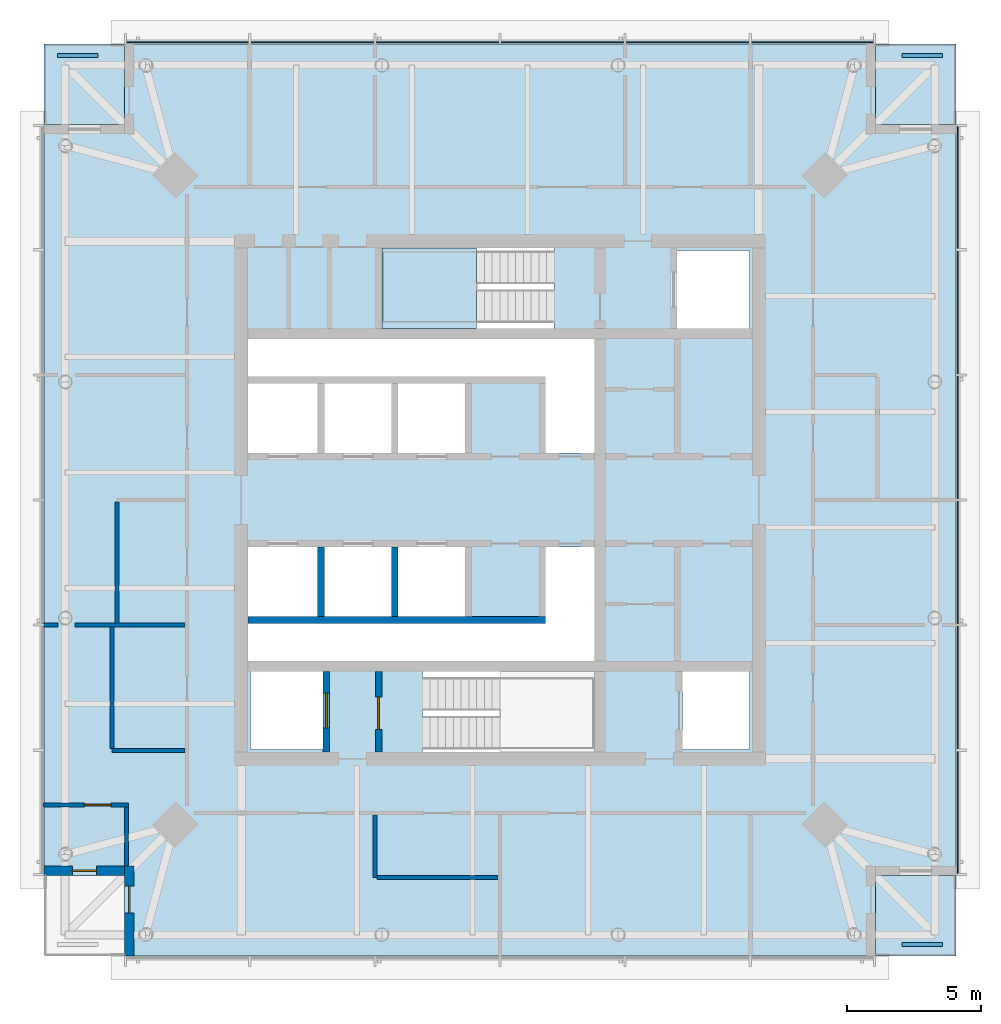
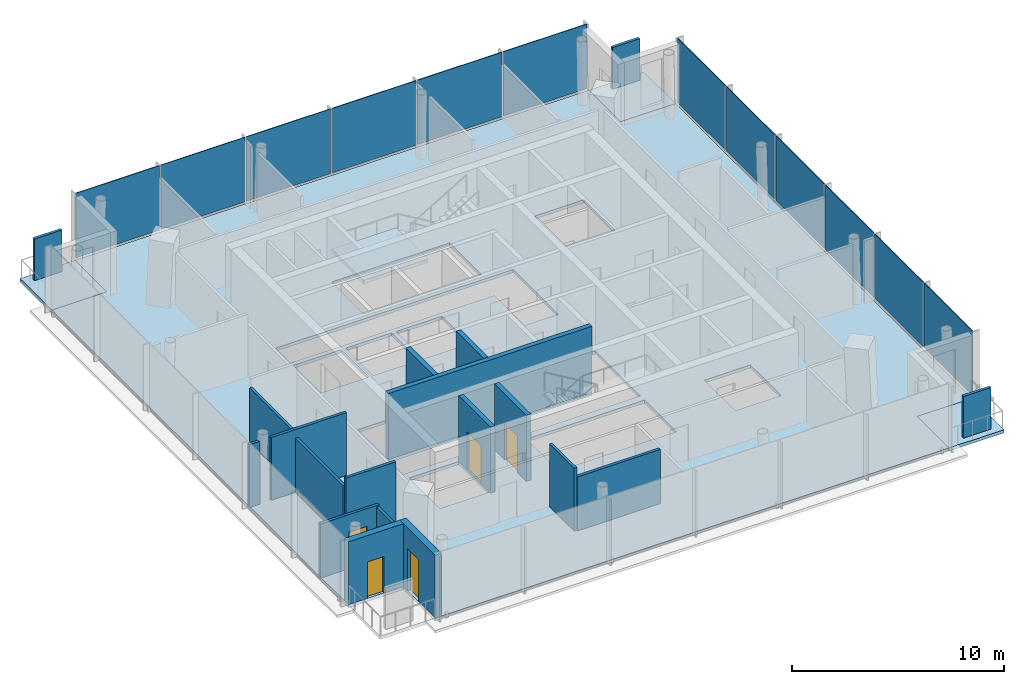
# One storey, part 3 of 9: 16 walls, 15 plates, 5 doors, 5 slabs, 5 openings, 3 elements without a shape of their own.
"""IFC4 building model written with IfcOpenShell, lengths in metres."""

from ifc_helpers import new_model, si_unit, direction, frame, frame_2d, origin, origin_2d, place, context, subcontext, project, spatial, polyline, rectangle, outline, extrude, material, layer, layer_set, type_object, element, fill, aggregate, save


model = new_model("IFC4")

# Units and contexts
model_context = context("Model", 3, precision=1e-05, world=origin(), true_north=direction((0.0, 1.0)))
body_context = subcontext(model_context, "Body", "Model", "MODEL_VIEW")
ifc_project = project(units=[si_unit("LENGTHUNIT", "METRE"), si_unit("AREAUNIT", "SQUARE_METRE"), si_unit("VOLUMEUNIT", "CUBIC_METRE"), si_unit("PLANEANGLEUNIT", "RADIAN"), si_unit("MASSUNIT", "GRAM", prefix="KILO")], contexts=[model_context])

# Site, building, storey
site_placement = place(None, origin())
site = spatial("IfcSite", under=ifc_project, at=site_placement, CompositionType="ELEMENT")
building_placement = place(site_placement, origin())
building = spatial("IfcBuilding", under=site, at=building_placement, Name="Ostroluk Exchange", CompositionType="ELEMENT")
storey_placement = place(building_placement, frame((0.0, 0.0, 264.199951171875)))
storey = spatial("IfcBuildingStorey", under=building, at=storey_placement, Name="L68", CompositionType="ELEMENT", Elevation=264.199951171875)

# Slabs
ifc_material_1 = material(Name="Concrete C35/45", Category="concrete")
ifc_layer_1 = layer(ifc_material_1, 0.179931640625)
ifc_layer_set_1 = layer_set([ifc_layer_1], Name="Balcony slab 180")
slab_type_1 = type_object("IfcSlabType", Name="Balcony slab 180", PredefinedType="USERDEFINED", material=ifc_layer_set_1)
slab_1_placement = place(storey_placement, frame((0.0, 0.0, -0.179931640625)))
element("IfcSlab", 1, at=slab_1_placement, inside=storey, type_object=slab_type_1, Name="Office tower SE corner balcony L68", ObjectType="BALCONY", PredefinedType="USERDEFINED", context=body_context, shape_type="SweptSolid", body=[
    extrude(outline(polyline([(59.0, 29.0), (62.0, 29.0), (62.0, 32.0), (59.0, 32.0), (59.0, 29.0)])), origin(), (0.0, 0.0, 1.0), 0.179931640625),
])
slab_2_placement = place(storey_placement, frame((0.0, 0.0, -0.179931640625)))
element("IfcSlab", 2, at=slab_2_placement, inside=storey, type_object=slab_type_1, Name="Office tower NE corner balcony L68", ObjectType="BALCONY", PredefinedType="USERDEFINED", context=body_context, shape_type="SweptSolid", body=[
    extrude(outline(polyline([(59.0, 60.0), (62.0, 60.0), (62.0, 63.0), (59.0, 63.0), (59.0, 60.0)])), origin(), (0.0, 0.0, 1.0), 0.179931640625),
])
slab_3_placement = place(storey_placement, frame((0.0, 0.0, -0.179931640625)))
element("IfcSlab", 3, at=slab_3_placement, inside=storey, type_object=slab_type_1, Name="Office tower NW corner balcony L68", ObjectType="BALCONY", PredefinedType="USERDEFINED", context=body_context, shape_type="SweptSolid", body=[
    extrude(outline(polyline([(28.0, 60.0), (31.0, 60.0), (31.0, 63.0), (28.0, 63.0), (28.0, 60.0)])), origin(), (0.0, 0.0, 1.0), 0.179931640625),
])

# Plates
ifc_material_2 = material(Name="Steel S355 trellis with planting", Category="steel")
ifc_layer_2 = layer(ifc_material_2, 0.14990234375)
ifc_layer_set_2 = layer_set([ifc_layer_2], Name="Planted screen 150")
plate_type_1 = type_object("IfcPlateType", Name="Planted screen 150", PredefinedType="USERDEFINED", material=ifc_layer_set_2)
for number, where, z_axis, x_axis, name in (
    (4, (60.75, 29.425048828125, 0.0), (0.0, 0.0, 1.0), (1.0, 0.0, 0.0), "Office tower SE planted screen L68"),
    (5, (60.75, 62.574951171875, 0.0), (0.0, 0.0, 1.0), (1.0, 0.0, 0.0), "Office tower NE planted screen L68"),
    (6, (29.25, 62.574951171875, 0.0), (0.0, 0.0, 1.0), (1.0, 0.0, 0.0), "Office tower NW planted screen L68"),
):
    element("IfcPlate", number, at=place(storey_placement, frame(where, z_axis=z_axis, x_axis=x_axis)), inside=storey, type_object=plate_type_1, Name=name, ObjectType="PLANTED SCREEN", PredefinedType="USERDEFINED", context=body_context, shape_type="SweptSolid", body=[
        extrude(rectangle(XDim=1.5, YDim=0.14990234375, at=origin_2d()), origin(), (0.0, 0.0, 1.0), 2.39990234375),
    ])

# Stair, slab
ifc_material_3 = material(Name="Concrete C30/37", Category="concrete")
stair_type = type_object("IfcStairType", Name="Exit stair half turn 3800", PredefinedType="HALF_TURN_STAIR", material=ifc_material_3)
stair_placement = place(storey_placement, origin())
stair = element("IfcStair", 7, at=stair_placement, inside=storey, type_object=stair_type, Name="Stair T1-S2 L68", PredefinedType="HALF_TURN_STAIR")
ifc_material_4 = material(Name="Concrete C30/37", Category="concrete")
ifc_layer_3 = layer(ifc_material_4, 0.199951171875)
ifc_layer_set_3 = layer_set([ifc_layer_3], Name="Stair landing 200")
slab_type_2 = type_object("IfcSlabType", Name="Stair landing 200", PredefinedType="LANDING", material=ifc_layer_set_3)
slab_4_placement = place(storey_placement, frame((0.0, 0.0, 1.699951171875)))
slab_4 = element("IfcSlab", 8, at=slab_4_placement, type_object=slab_type_2, Name="T1-S2 landing 1", PredefinedType="LANDING", context=body_context, shape_type="SweptSolid", body=[
    extrude(outline(polyline([(44.1298828125, 52.39990234375), (44.1298828125, 55.39990234375), (40.60009765625, 55.39990234375), (40.60009765625, 52.39990234375), (44.1298828125, 52.39990234375)])), origin(), (0.0, 0.0, 1.0), 0.2001953125),
])
aggregate(stair, [slab_4])

# Slab
ifc_material_5 = material(Name="Concrete C35/45", Category="concrete")
ifc_layer_4 = layer(ifc_material_5, 0.179931640625)
ifc_layer_set_4 = layer_set([ifc_layer_4], Name="Tower floor slab 180 composite")
slab_type_3 = type_object("IfcSlabType", Name="Tower floor slab 180 composite", PredefinedType="FLOOR", material=ifc_layer_set_4)
slab_5_placement = place(storey_placement, frame((0.0, 0.0, -0.179931640625)))
element("IfcSlab", 9, at=slab_5_placement, inside=storey, type_object=slab_type_3, Name="Office tower floor slab L68", PredefinedType="FLOOR", context=body_context, shape_type="SweptSolid", body=[
    extrude(outline(polyline([(31.0, 29.0), (59.0, 29.0), (59.0, 32.0), (62.0, 32.0), (62.0, 60.0), (59.0, 60.0), (59.0, 63.0), (31.0, 63.0), (31.0, 60.0), (28.0, 60.0), (28.0, 32.0), (31.0, 32.0), (31.0, 29.0)]), holes=[polyline([(35.699951171875, 36.699951171875), (38.39990234375, 36.699951171875), (38.39990234375, 39.60009765625), (35.699951171875, 39.60009765625), (35.699951171875, 36.699951171875)]), polyline([(42.110107421875, 36.60009765625), (48.530029296875, 36.60009765625), (48.530029296875, 39.60009765625), (42.110107421875, 39.60009765625), (42.110107421875, 36.60009765625)]), polyline([(51.800048828125, 36.699951171875), (54.300048828125, 36.699951171875), (54.300048828125, 39.60009765625), (51.800048828125, 39.60009765625), (51.800048828125, 36.699951171875)]), polyline([(40.60009765625, 52.39990234375), (47.02001953125, 52.39990234375), (47.02001953125, 55.39990234375), (40.60009765625, 55.39990234375), (40.60009765625, 52.39990234375)]), polyline([(51.60009765625, 52.39990234375), (54.300048828125, 52.39990234375), (54.300048828125, 55.300048828125), (51.60009765625, 55.300048828125), (51.60009765625, 52.39990234375)]), polyline([(35.60009765625, 47.75), (38.199951171875, 47.75), (38.199951171875, 50.35009765625), (35.60009765625, 50.35009765625), (35.60009765625, 47.75)]), polyline([(38.449951171875, 47.75), (40.949951171875, 47.75), (40.949951171875, 50.35009765625), (38.449951171875, 50.35009765625), (38.449951171875, 47.75)]), polyline([(41.199951171875, 47.75), (43.699951171875, 47.75), (43.699951171875, 50.35009765625), (41.199951171875, 50.35009765625), (41.199951171875, 47.75)]), polyline([(35.60009765625, 41.64990234375), (38.199951171875, 41.64990234375), (38.199951171875, 44.25), (35.60009765625, 44.25), (35.60009765625, 41.64990234375)]), polyline([(38.449951171875, 41.64990234375), (40.949951171875, 41.64990234375), (40.949951171875, 44.25), (38.449951171875, 44.25), (38.449951171875, 41.64990234375)]), polyline([(41.199951171875, 41.64990234375), (43.699951171875, 41.64990234375), (43.699951171875, 44.25), (41.199951171875, 44.25), (41.199951171875, 41.64990234375)]), polyline([(48.530029296875, 52.0), (48.530029296875, 47.75), (46.699951171875, 47.75), (46.699951171875, 50.60009765625), (35.60009765625, 50.60009765625), (35.60009765625, 52.0), (48.530029296875, 52.0)]), polyline([(35.60009765625, 40.0), (35.60009765625, 41.39990234375), (46.699951171875, 41.39990234375), (46.699951171875, 44.25), (48.530029296875, 44.25), (48.530029296875, 40.0), (35.60009765625, 40.0)])]), origin(), (0.0, 0.0, 1.0), 0.179931640625),
])

# Curtain wall, plates
ifc_material_6 = material(Name="Laminated clear glass", Category="glass")
curtain_wall_type = type_object("IfcCurtainWallType", Name="Office tower facade", PredefinedType="USERDEFINED", material=ifc_material_6)
curtain_wall_1_placement = place(storey_placement, origin())
curtain_wall_1 = element("IfcCurtainWall", 10, at=curtain_wall_1_placement, inside=storey, type_object=curtain_wall_type, Name="Office tower east facade L68", ObjectType="UNITISED CURTAIN WALL", PredefinedType="USERDEFINED")
ifc_material_7 = material(Name="Laminated clear glass", Category="glass")
ifc_layer_5 = layer(ifc_material_7, 0.0439453125)
ifc_layer_set_5 = layer_set([ifc_layer_5], Name="Triple laminated clear glazing 44")
plate_type_2 = type_object("IfcPlateType", Name="Triple laminated clear glazing 44", PredefinedType="CURTAIN_PANEL", material=ifc_layer_set_5)
plate_1_placement = place(storey_placement, frame((62.074951171875, 34.353271484375, 0.080078125), z_axis=(0.0, 0.0, 1.0), x_axis=(0.0, 1.0, 0.0)))
plate_1 = element("IfcPlate", 11, at=plate_1_placement, type_object=plate_type_2, Name="CW-O1 panel 1.1", PredefinedType="CURTAIN_PANEL", context=body_context, shape_type="SweptSolid", body=[
    extrude(rectangle(XDim=4.546630859375, YDim=0.0439453125, at=origin_2d()), origin(), (0.0, 0.0, 1.0), 3.719970703125),
])
plate_2_placement = place(storey_placement, frame((62.074951171875, 39.0, 0.080078125), z_axis=(0.0, 0.0, 1.0), x_axis=(0.0, 1.0, 0.0)))
plate_2 = element("IfcPlate", 12, at=plate_2_placement, type_object=plate_type_2, Name="CW-O1 panel 2.1", PredefinedType="CURTAIN_PANEL", context=body_context, shape_type="SweptSolid", body=[
    extrude(rectangle(XDim=4.586669921875, YDim=0.0439453125, at=origin_2d()), origin(), (0.0, 0.0, 1.0), 3.719970703125),
])
plate_3_placement = place(storey_placement, frame((62.074951171875, 43.666748046875, 0.080078125), z_axis=(0.0, 0.0, 1.0), x_axis=(0.0, 1.0, 0.0)))
plate_3 = element("IfcPlate", 13, at=plate_3_placement, type_object=plate_type_2, Name="CW-O1 panel 3.1", PredefinedType="CURTAIN_PANEL", context=body_context, shape_type="SweptSolid", body=[
    extrude(rectangle(XDim=4.586669921875, YDim=0.0439453125, at=origin_2d()), origin(), (0.0, 0.0, 1.0), 3.719970703125),
])
plate_4_placement = place(storey_placement, frame((62.074951171875, 48.333251953125, 0.080078125), z_axis=(0.0, 0.0, 1.0), x_axis=(0.0, 1.0, 0.0)))
plate_4 = element("IfcPlate", 14, at=plate_4_placement, type_object=plate_type_2, Name="CW-O1 panel 4.1", PredefinedType="CURTAIN_PANEL", context=body_context, shape_type="SweptSolid", body=[
    extrude(rectangle(XDim=4.586669921875, YDim=0.0439453125, at=origin_2d()), origin(), (0.0, 0.0, 1.0), 3.719970703125),
])
plate_5_placement = place(storey_placement, frame((62.074951171875, 53.0, 0.080078125), z_axis=(0.0, 0.0, 1.0), x_axis=(0.0, 1.0, 0.0)))
plate_5 = element("IfcPlate", 15, at=plate_5_placement, type_object=plate_type_2, Name="CW-O1 panel 5.1", PredefinedType="CURTAIN_PANEL", context=body_context, shape_type="SweptSolid", body=[
    extrude(rectangle(XDim=4.586669921875, YDim=0.0439453125, at=origin_2d()), origin(), (0.0, 0.0, 1.0), 3.719970703125),
])
plate_6_placement = place(storey_placement, frame((62.074951171875, 57.646728515625, 0.080078125), z_axis=(0.0, 0.0, 1.0), x_axis=(0.0, 1.0, 0.0)))
plate_6 = element("IfcPlate", 16, at=plate_6_placement, type_object=plate_type_2, Name="CW-O1 panel 6.1", PredefinedType="CURTAIN_PANEL", context=body_context, shape_type="SweptSolid", body=[
    extrude(rectangle(XDim=4.546630859375, YDim=0.0439453125, at=origin_2d()), origin(), (0.0, 0.0, 1.0), 3.719970703125),
])
aggregate(curtain_wall_1, [plate_1, plate_2, plate_3, plate_4, plate_5, plate_6])

curtain_wall_2_placement = place(storey_placement, origin())
curtain_wall_2 = element("IfcCurtainWall", 17, at=curtain_wall_2_placement, inside=storey, type_object=curtain_wall_type, Name="Office tower north facade L68", ObjectType="UNITISED CURTAIN WALL", PredefinedType="USERDEFINED")
plate_7_placement = place(storey_placement, frame((56.646728515625, 63.074951171875, 0.080078125), z_axis=(0.0, 0.0, 1.0), x_axis=(-1.0, 0.0, 0.0)))
plate_7 = element("IfcPlate", 18, at=plate_7_placement, type_object=plate_type_2, Name="CW-O1 panel 1.1", PredefinedType="CURTAIN_PANEL", context=body_context, shape_type="SweptSolid", body=[
    extrude(rectangle(XDim=4.546630859375, YDim=0.0439453125, at=origin_2d()), origin(), (0.0, 0.0, 1.0), 3.719970703125),
])
plate_8_placement = place(storey_placement, frame((52.0, 63.074951171875, 0.080078125), z_axis=(0.0, 0.0, 1.0), x_axis=(-1.0, 0.0, 0.0)))
plate_8 = element("IfcPlate", 19, at=plate_8_placement, type_object=plate_type_2, Name="CW-O1 panel 2.1", PredefinedType="CURTAIN_PANEL", context=body_context, shape_type="SweptSolid", body=[
    extrude(rectangle(XDim=4.586669921875, YDim=0.0439453125, at=origin_2d()), origin(), (0.0, 0.0, 1.0), 3.719970703125),
])
plate_9_placement = place(storey_placement, frame((47.333251953125, 63.074951171875, 0.080078125), z_axis=(0.0, 0.0, 1.0), x_axis=(-1.0, 0.0, 0.0)))
plate_9 = element("IfcPlate", 20, at=plate_9_placement, type_object=plate_type_2, Name="CW-O1 panel 3.1", PredefinedType="CURTAIN_PANEL", context=body_context, shape_type="SweptSolid", body=[
    extrude(rectangle(XDim=4.586669921875, YDim=0.0439453125, at=origin_2d()), origin(), (0.0, 0.0, 1.0), 3.719970703125),
])
plate_10_placement = place(storey_placement, frame((42.666748046875, 63.074951171875, 0.080078125), z_axis=(0.0, 0.0, 1.0), x_axis=(-1.0, 0.0, 0.0)))
plate_10 = element("IfcPlate", 21, at=plate_10_placement, type_object=plate_type_2, Name="CW-O1 panel 4.1", PredefinedType="CURTAIN_PANEL", context=body_context, shape_type="SweptSolid", body=[
    extrude(rectangle(XDim=4.586669921875, YDim=0.0439453125, at=origin_2d()), origin(), (0.0, 0.0, 1.0), 3.719970703125),
])
plate_11_placement = place(storey_placement, frame((38.0, 63.074951171875, 0.080078125), z_axis=(0.0, 0.0, 1.0), x_axis=(-1.0, 0.0, 0.0)))
plate_11 = element("IfcPlate", 22, at=plate_11_placement, type_object=plate_type_2, Name="CW-O1 panel 5.1", PredefinedType="CURTAIN_PANEL", context=body_context, shape_type="SweptSolid", body=[
    extrude(rectangle(XDim=4.586669921875, YDim=0.0439453125, at=origin_2d()), origin(), (0.0, 0.0, 1.0), 3.719970703125),
])
plate_12_placement = place(storey_placement, frame((33.353271484375, 63.074951171875, 0.080078125), z_axis=(0.0, 0.0, 1.0), x_axis=(-1.0, 0.0, 0.0)))
plate_12 = element("IfcPlate", 23, at=plate_12_placement, type_object=plate_type_2, Name="CW-O1 panel 6.1", PredefinedType="CURTAIN_PANEL", context=body_context, shape_type="SweptSolid", body=[
    extrude(rectangle(XDim=4.546630859375, YDim=0.0439453125, at=origin_2d()), origin(), (0.0, 0.0, 1.0), 3.719970703125),
])
aggregate(curtain_wall_2, [plate_7, plate_8, plate_9, plate_10, plate_11, plate_12])

# Wall, opening, door
ifc_material_8 = material(Name="Concrete C40/50", Category="concrete")
ifc_layer_6 = layer(ifc_material_8, 0.25)
ifc_layer_set_6 = layer_set([ifc_layer_6], Name="Core shaft wall 250")
wall_type_1 = type_object("IfcWallType", Name="Core shaft wall 250", PredefinedType="SHEAR", material=ifc_layer_set_6)
wall_1_placement = place(storey_placement, frame((38.52490234375, 36.60009765625, 0.0), z_axis=(0.0, 0.0, 1.0), x_axis=(0.0, 1.0, 0.0)))
wall_1 = element("IfcWall", 24, at=wall_1_placement, inside=storey, type_object=wall_type_1, Name="Firefighting lift shaft wall", PredefinedType="SHEAR", context=body_context, shape_type="SweptSolid", body=[
    extrude(rectangle(XDim=3.0, YDim=0.25, at=frame_2d((1.5, 0.0))), origin(), (0.0, 0.0, 1.0), 3.800048828125),
])
opening_1_placement = place(wall_1_placement, frame((0.89990234375, 0.0, 0.0)))
opening_1 = element("IfcOpeningElement", 25, at=opening_1_placement, cuts=wall_1, Name="Opening LD2", PredefinedType="OPENING", context=body_context, shape_type="SweptSolid", body=[
    extrude(rectangle(XDim=1.300048828125, YDim=2.199951171875, at=frame_2d((0.64990234375, 1.10009765625))), frame((0.0, 0.135009765625, 0.0), z_axis=(0.0, -1.0, 0.0), x_axis=(1.0, 0.0, 0.0)), (0.0, 0.0, 1.0), 0.27001953125),
])
ifc_material_9 = material(Name="Stainless steel", Category="steel")
door_type_1 = type_object("IfcDoorType", Name="Lift landing door E 60 1300 x 2200", OperationType="DOUBLE_DOOR_SLIDING", PredefinedType="DOOR", material=ifc_material_9)
door_1_placement = place(opening_1_placement, origin())
door_1 = element("IfcDoor", 26, at=door_1_placement, inside=storey, type_object=door_type_1, Name="Lift FL1 landing door", OperationType="DOUBLE_DOOR_SLIDING", OverallHeight=2.199951171875, OverallWidth=1.300048828125, PredefinedType="DOOR", context=body_context, shape_type="SweptSolid", body=[
    extrude(rectangle(XDim=1.300048828125, YDim=2.199951171875, at=frame_2d((0.64990234375, 1.10009765625))), frame((0.0, 0.02490234375, 0.0), z_axis=(0.0, -1.0, 0.0), x_axis=(1.0, 0.0, 0.0)), (0.0, 0.0, 1.0), 0.050048828125),
])
fill(opening_1, door_1)

wall_2_placement = place(storey_placement, frame((40.47509765625, 36.60009765625, 0.0), z_axis=(0.0, 0.0, 1.0), x_axis=(0.0, 1.0, 0.0)))
wall_2 = element("IfcWall", 27, at=wall_2_placement, inside=storey, type_object=wall_type_1, Name="Stair shaft wall", PredefinedType="SHEAR", context=body_context, shape_type="SweptSolid", body=[
    extrude(rectangle(XDim=3.0, YDim=0.25, at=frame_2d((1.5, 0.0))), origin(), (0.0, 0.0, 1.0), 3.800048828125),
])
opening_2_placement = place(wall_2_placement, frame((0.85009765625, 0.0, 0.0)))
opening_2 = element("IfcOpeningElement", 28, at=opening_2_placement, cuts=wall_2, Name="Opening FD60S", PredefinedType="OPENING", context=body_context, shape_type="SweptSolid", body=[
    extrude(rectangle(XDim=1.199951171875, YDim=2.10009765625, at=frame_2d((0.60009765625, 1.050048828125))), frame((0.0, 0.135009765625, 0.0), z_axis=(0.0, -1.0, 0.0), x_axis=(1.0, 0.0, 0.0)), (0.0, 0.0, 1.0), 0.27001953125),
])
ifc_material_10 = material(Name="Steel", Category="steel")
door_type_2 = type_object("IfcDoorType", Name="Stair door EI 60 1200 x 2100", OperationType="SINGLE_SWING_LEFT", PredefinedType="DOOR", material=ifc_material_10)
door_2_placement = place(opening_2_placement, origin())
door_2 = element("IfcDoor", 29, at=door_2_placement, inside=storey, type_object=door_type_2, Name="Stair T1-S1 door", OperationType="SINGLE_SWING_LEFT", OverallHeight=2.10009765625, OverallWidth=1.199951171875, PredefinedType="DOOR", context=body_context, shape_type="SweptSolid", body=[
    extrude(rectangle(XDim=1.199951171875, YDim=2.10009765625, at=frame_2d((0.60009765625, 1.050048828125))), frame((0.0, 0.02490234375, 0.0), z_axis=(0.0, -1.0, 0.0), x_axis=(1.0, 0.0, 0.0)), (0.0, 0.0, 1.0), 0.050048828125),
])
fill(opening_2, door_2)

# Walls
for number, where, z_axis, x_axis, name in (
    (30, (38.324951171875, 44.25, 0.0), (0.0, 0.0, 1.0), (0.0, -1.0, 0.0), "Lift shaft wall"),
    (31, (41.074951171875, 44.25, 0.0), (0.0, 0.0, 1.0), (0.0, -1.0, 0.0), "Lift shaft wall"),
):
    element("IfcWall", number, at=place(storey_placement, frame(where, z_axis=z_axis, x_axis=x_axis)), inside=storey, type_object=wall_type_1, Name=name, PredefinedType="SHEAR", context=body_context, shape_type="SweptSolid", body=[
        extrude(rectangle(XDim=2.60009765625, YDim=0.25, at=frame_2d((1.300048828125, 0.0))), origin(), (0.0, 0.0, 1.0), 3.800048828125),
    ])
wall_3_placement = place(storey_placement, frame((35.60009765625, 41.52490234375, 0.0), z_axis=(0.0, 0.0, 1.0), x_axis=(1.0, 0.0, 0.0)))
element("IfcWall", 32, at=wall_3_placement, inside=storey, type_object=wall_type_1, Name="Lift shaft wall", PredefinedType="SHEAR", context=body_context, shape_type="SweptSolid", body=[
    extrude(rectangle(XDim=11.099853515625, YDim=0.25, at=frame_2d((5.5498046875, 0.0))), origin(), (0.0, 0.0, 1.0), 3.800048828125),
])

# Wall, opening, door
ifc_material_11 = material(Name="Limestone", Category="masonry")
ifc_layer_7 = layer(ifc_material_11, 0.35009765625)
ifc_layer_set_7 = layer_set([ifc_layer_7], Name="Limestone facade wall 350")
wall_type_2 = type_object("IfcWallType", Name="Limestone facade wall 350", PredefinedType="SOLIDWALL", material=ifc_layer_set_7)
wall_4_placement = place(storey_placement, frame((31.175048828125, 29.0, 0.0), z_axis=(0.0, 0.0, 1.0), x_axis=(0.0, 1.0, 0.0)))
wall_4 = element("IfcWall", 33, at=wall_4_placement, inside=storey, type_object=wall_type_2, Name="Office tower SW corner wall L68 a", PredefinedType="SOLIDWALL", context=body_context, shape_type="SweptSolid", body=[
    extrude(rectangle(XDim=3.35009765625, YDim=0.35009765625, at=frame_2d((1.675048828125, 0.0))), origin(), (0.0, 0.0, 1.0), 3.6201171875),
])
opening_3_placement = place(wall_4_placement, frame((1.60009765625, 0.0, 0.0)))
opening_3 = element("IfcOpeningElement", 34, at=opening_3_placement, cuts=wall_4, Name="Opening D-B1", PredefinedType="OPENING", context=body_context, shape_type="SweptSolid", body=[
    extrude(rectangle(XDim=1.0, YDim=2.39990234375, at=frame_2d((0.5, 1.199951171875))), frame((0.0, 0.18505859375, 0.0), z_axis=(0.0, -1.0, 0.0), x_axis=(1.0, 0.0, 0.0)), (0.0, 0.0, 1.0), 0.3701171875),
])
ifc_material_12 = material(Name="Bronze framed glazed door", Category="aluminium")
door_type_3 = type_object("IfcDoorType", Name="Balcony door 1000 x 2400", OperationType="SINGLE_SWING_LEFT", PredefinedType="DOOR", material=ifc_material_12)
door_3_placement = place(opening_3_placement, origin())
door_3 = element("IfcDoor", 35, at=door_3_placement, inside=storey, type_object=door_type_3, Name="Office tower SW balcony door L68", OperationType="SINGLE_SWING_RIGHT", OverallHeight=2.39990234375, OverallWidth=1.0, PredefinedType="DOOR", context=body_context, shape_type="SweptSolid", body=[
    extrude(rectangle(XDim=1.0, YDim=2.39990234375, at=frame_2d((0.5, 1.199951171875))), frame((0.0, 0.02490234375, 0.0), z_axis=(0.0, -1.0, 0.0), x_axis=(1.0, 0.0, 0.0)), (0.0, 0.0, 1.0), 0.050048828125),
])
fill(opening_3, door_3)

wall_5_placement = place(storey_placement, frame((31.0, 32.175048828125, 0.0), z_axis=(0.0, 0.0, 1.0), x_axis=(-1.0, 0.0, 0.0)))
wall_5 = element("IfcWall", 36, at=wall_5_placement, inside=storey, type_object=wall_type_2, Name="Office tower SW corner wall L68 b", PredefinedType="SOLIDWALL", context=body_context, shape_type="SweptSolid", body=[
    extrude(rectangle(XDim=3.0, YDim=0.35009765625, at=frame_2d((1.5, 0.0))), origin(), (0.0, 0.0, 1.0), 3.6201171875),
])
opening_4_placement = place(wall_5_placement, frame((1.050048828125, 0.0, 0.0)))
opening_4 = element("IfcOpeningElement", 37, at=opening_4_placement, cuts=wall_5, Name="Opening D-M1", PredefinedType="OPENING", context=body_context, shape_type="SweptSolid", body=[
    extrude(rectangle(XDim=0.89990234375, YDim=2.10009765625, at=frame_2d((0.449951171875, 1.050048828125))), frame((0.0, 0.18505859375, 0.0), z_axis=(0.0, -1.0, 0.0), x_axis=(1.0, 0.0, 0.0)), (0.0, 0.0, 1.0), 0.3701171875),
])
ifc_material_13 = material(Name="Steel door", Category="steel")
door_type_4 = type_object("IfcDoorType", Name="Maintenance access door 900 x 2100", OperationType="SINGLE_SWING_LEFT", PredefinedType="DOOR", material=ifc_material_13)
door_4_placement = place(opening_4_placement, origin())
door_4 = element("IfcDoor", 38, at=door_4_placement, inside=storey, type_object=door_type_4, Name="Maintenance access door T1 L68 SW", OperationType="SINGLE_SWING_RIGHT", OverallHeight=2.10009765625, OverallWidth=0.89990234375, PredefinedType="DOOR", context=body_context, shape_type="SweptSolid", body=[
    extrude(rectangle(XDim=0.89990234375, YDim=2.10009765625, at=frame_2d((0.449951171875, 1.050048828125))), frame((0.0, 0.02490234375, 0.0), z_axis=(0.0, -1.0, 0.0), x_axis=(1.0, 0.0, 0.0)), (0.0, 0.0, 1.0), 0.050048828125),
])
fill(opening_4, door_4)

# Walls
ifc_material_14 = material(Name="Gypsum plasterboard partition", Category="gypsum")
ifc_layer_8 = layer(ifc_material_14, 0.14990234375)
ifc_layer_set_8 = layer_set([ifc_layer_8], Name="Plasterboard partition 150")
wall_type_3 = type_object("IfcWallType", Name="Plasterboard partition 150", PredefinedType="PARTITIONING", material=ifc_layer_set_8)
wall_6_placement = place(storey_placement, frame((33.25, 41.333251953125, 0.0), z_axis=(0.0, 0.0, 1.0), x_axis=(-1.0, 0.0, 0.0)))
element("IfcWall", 39, at=wall_6_placement, inside=storey, type_object=wall_type_3, Name="Partition", PredefinedType="PARTITIONING", context=body_context, shape_type="SweptSolid", body=[
    extrude(rectangle(XDim=4.10302734375, YDim=0.14990234375, at=frame_2d((2.051513671875, 0.0))), origin(), (0.0, 0.0, 1.0), 3.6201171875),
])
wall_7_placement = place(storey_placement, frame((28.517333984375, 41.333251953125, 0.0), z_axis=(0.0, 0.0, 1.0), x_axis=(-1.0, 0.0, 0.0)))
element("IfcWall", 40, at=wall_7_placement, inside=storey, type_object=wall_type_3, Name="Partition", PredefinedType="PARTITIONING", context=body_context, shape_type="SweptSolid", body=[
    extrude(rectangle(XDim=0.557373046875, YDim=0.14990234375, at=frame_2d((0.27880859375, 0.0))), origin(), (0.0, 0.0, 1.0), 3.6201171875),
])
wall_8_placement = place(storey_placement, frame((33.25, 36.666748046875, 0.0), z_axis=(0.0, 0.0, 1.0), x_axis=(-1.0, 0.0, 0.0)))
element("IfcWall", 41, at=wall_8_placement, inside=storey, type_object=wall_type_3, Name="Partition", PredefinedType="PARTITIONING", context=body_context, shape_type="SweptSolid", body=[
    extrude(rectangle(XDim=2.72509765625, YDim=0.14990234375, at=frame_2d((1.362548828125, 0.0))), origin(), (0.0, 0.0, 1.0), 3.6201171875),
])
wall_9_placement = place(storey_placement, frame((40.408447265625, 31.925048828125, 0.0), z_axis=(0.0, 0.0, 1.0), x_axis=(1.0, 0.0, 0.0)))
element("IfcWall", 42, at=wall_9_placement, inside=storey, type_object=wall_type_3, Name="Partition", PredefinedType="PARTITIONING", context=body_context, shape_type="SweptSolid", body=[
    extrude(rectangle(XDim=4.5166015625, YDim=0.14990234375, at=frame_2d((2.25830078125, 0.0))), origin(), (0.0, 0.0, 1.0), 3.1201171875),
])
wall_10_placement = place(storey_placement, frame((40.333251953125, 34.25, 0.0), z_axis=(0.0, 0.0, 1.0), x_axis=(0.0, -1.0, 0.0)))
element("IfcWall", 43, at=wall_10_placement, inside=storey, type_object=wall_type_3, Name="Partition", PredefinedType="PARTITIONING", context=body_context, shape_type="SweptSolid", body=[
    extrude(rectangle(XDim=2.324951171875, YDim=0.14990234375, at=frame_2d((1.16259765625, 0.0))), origin(), (0.0, 0.0, 1.0), 3.6201171875),
])

# Wall, opening, door
wall_11_placement = place(storey_placement, frame((31.14990234375, 34.625, 0.0), z_axis=(0.0, 0.0, 1.0), x_axis=(-1.0, 0.0, 0.0)))
wall_11 = element("IfcWall", 44, at=wall_11_placement, inside=storey, type_object=wall_type_3, Name="Partition", PredefinedType="PARTITIONING", context=body_context, shape_type="SweptSolid", body=[
    extrude(rectangle(XDim=3.18994140625, YDim=0.14990234375, at=frame_2d((1.594970703125, 0.0))), origin(), (0.0, 0.0, 1.0), 3.1201171875),
])
opening_5_placement = place(wall_11_placement, frame((0.64990234375, 0.0, 0.0)))
opening_5 = element("IfcOpeningElement", 45, at=opening_5_placement, cuts=wall_11, Name="Opening D-03", PredefinedType="OPENING", context=body_context, shape_type="SweptSolid", body=[
    extrude(rectangle(XDim=1.0, YDim=2.10009765625, at=frame_2d((0.5, 1.050048828125))), frame((0.0, 0.0849609375, 0.0), z_axis=(0.0, -1.0, 0.0), x_axis=(1.0, 0.0, 0.0)), (0.0, 0.0, 1.0), 0.169921875),
])
ifc_material_15 = material(Name="Timber", Category="wood")
door_type_5 = type_object("IfcDoorType", Name="Internal door 1000 x 2100", OperationType="SINGLE_SWING_LEFT", PredefinedType="DOOR", material=ifc_material_15)
door_5_placement = place(opening_5_placement, origin())
door_5 = element("IfcDoor", 46, at=door_5_placement, inside=storey, type_object=door_type_5, Name="Facade maintenance store door", OperationType="SINGLE_SWING_LEFT", OverallHeight=2.10009765625, OverallWidth=1.0, PredefinedType="DOOR", context=body_context, shape_type="SweptSolid", body=[
    extrude(rectangle(XDim=1.0, YDim=2.10009765625, at=frame_2d((0.5, 1.050048828125))), frame((0.0, 0.02490234375, 0.0), z_axis=(0.0, -1.0, 0.0), x_axis=(1.0, 0.0, 0.0)), (0.0, 0.0, 1.0), 0.050048828125),
])
fill(opening_5, door_5)

# Walls
wall_12_placement = place(storey_placement, frame((31.074951171875, 34.550048828125, 0.0), z_axis=(0.0, 0.0, 1.0), x_axis=(0.0, -1.0, 0.0)))
element("IfcWall", 47, at=wall_12_placement, inside=storey, type_object=wall_type_3, Name="Partition", PredefinedType="PARTITIONING", context=body_context, shape_type="SweptSolid", body=[
    extrude(rectangle(XDim=2.199951171875, YDim=0.14990234375, at=frame_2d((1.10009765625, 0.0))), origin(), (0.0, 0.0, 1.0), 3.02001953125),
])
ifc_material_16 = material(Name="Gypsum plasterboard partition, moisture resistant", Category="gypsum")
ifc_layer_9 = layer(ifc_material_16, 0.14990234375)
ifc_layer_set_9 = layer_set([ifc_layer_9], Name="Plasterboard toilet partition 150")
wall_type_4 = type_object("IfcWallType", Name="Plasterboard toilet partition 150", PredefinedType="PARTITIONING", material=ifc_layer_set_9)
for number, where, z_axis, x_axis, name in (
    (48, (30.72509765625, 45.925048828125, 0.0), (0.0, 0.0, 1.0), (0.0, -1.0, 0.0), "Toilet partition"),
    (49, (30.52490234375, 41.25830078125, 0.0), (0.0, 0.0, 1.0), (0.0, -1.0, 0.0), "Toilet partition"),
):
    element("IfcWall", number, at=place(storey_placement, frame(where, z_axis=z_axis, x_axis=x_axis)), inside=storey, type_object=wall_type_4, Name=name, PredefinedType="PARTITIONING", context=body_context, shape_type="SweptSolid", body=[
        extrude(rectangle(XDim=4.5166015625, YDim=0.14990234375, at=frame_2d((2.25830078125, 0.0))), origin(), (0.0, 0.0, 1.0), 3.1201171875),
    ])

save(model, "model.ifc")
